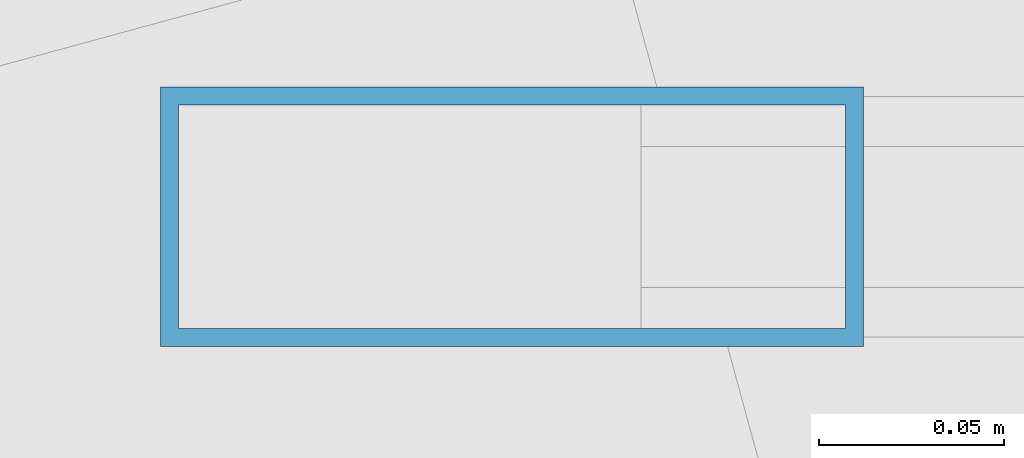
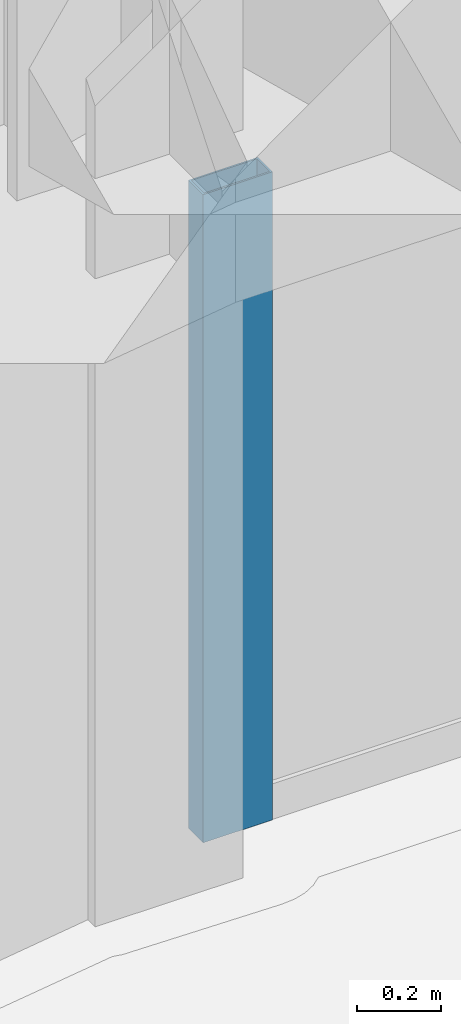
# One storey, part 8 of 16: 1 member, 1 element without a shape of its own.
"""IFC4 building model written with IfcOpenShell, lengths in metres."""

from ifc_helpers import new_model, si_unit, derived_unit, direction, frame, origin, origin_2d, place, context, subcontext, project, spatial, hollow_rectangle, extrude, source, transform, mapped, material, layer, layer_set, material_profile, profile_set, type_object, element, aggregate, save


model = new_model("IFC4")

# Units and contexts
model_context = context("Model", 3, precision=1e-05, world=origin(), true_north=direction((0.0, 1.0)))
body_context = subcontext(model_context, "Body", "Model", "MODEL_VIEW")
ifc_project = project(units=[si_unit("LENGTHUNIT", "METRE"), si_unit("AREAUNIT", "SQUARE_METRE"), si_unit("VOLUMEUNIT", "CUBIC_METRE"), si_unit("PLANEANGLEUNIT", "RADIAN"), si_unit("MASSUNIT", "GRAM", prefix="KILO"), derived_unit("THERMALTRANSMITTANCEUNIT", [(si_unit("POWERUNIT", "WATT"), 1), (si_unit("LENGTHUNIT", "METRE"), -2), (si_unit("THERMODYNAMICTEMPERATUREUNIT", "KELVIN"), -1)])], contexts=[model_context])

# Site, building, storey
site_placement = place(None, origin())
site = spatial("IfcSite", under=ifc_project, at=site_placement, CompositionType="ELEMENT")
building_placement = place(site_placement, origin())
building = spatial("IfcBuilding", under=site, at=building_placement, Name="Korsvarv Bourse and Concert Hall", CompositionType="ELEMENT")
storey_placement = place(building_placement, frame((0.0, 0.0, 213.0)))
storey = spatial("IfcBuildingStorey", under=building, at=storey_placement, Name="L55", CompositionType="ELEMENT", Elevation=213.0)

# Curtain wall, member
ifc_material_1 = material(Name="Anodised aluminium and triple low-E glazing", Category="glass")
ifc_layer = layer(ifc_material_1, 0.199951171875)
ifc_layer_set = layer_set([ifc_layer], Name="Anodised aluminium and triple low-E glazing")
curtain_wall_type = type_object("IfcCurtainWallType", Name="CW-SYS-3", PredefinedType="NOTDEFINED", material=ifc_layer_set)
curtain_wall_placement = place(storey_placement, origin())
curtain_wall = element("IfcCurtainWall", 1, at=curtain_wall_placement, inside=storey, type_object=curtain_wall_type, Name="L55 CW3 curtain wall CW-L55-F03", PredefinedType="NOTDEFINED")
ifc_material_2 = material(Name="Extruded aluminium EN AW-6063 T66", Category="aluminium")
ifc_material_profile = material_profile(ifc_material_2, hollow_rectangle(XDim=0.070068359375, YDim=0.18994140625, WallThickness=0.0048828125, at=origin_2d()), Name="ALU-M 70x190")
ifc_profile_set = profile_set([ifc_material_profile], Name="Extruded aluminium EN AW-6063 T66")
member_type = type_object("IfcMemberType", Name="CWM-190", PredefinedType="MULLION", material=ifc_profile_set)
shared_shape = source(origin(), body_context, "Body", "SweptSolid", [
    extrude(hollow_rectangle(XDim=0.070068359375, YDim=0.18994140625, WallThickness=0.0048828125, at=origin_2d()), origin(), (0.0, 0.0, 1.0), 1.8798828125),
])
member_placement = place(storey_placement, frame((34.311279296875, 51.66162109375, 0.0), z_axis=(0.0, 0.0, 1.0), x_axis=(0.0, -1.0, 0.0)))
member = element("IfcMember", 2, at=member_placement, type_object=member_type, Name="CW3 mullion 10", PredefinedType="MULLION", context=body_context, shape_type="MappedRepresentation", body=[
    mapped(shared_shape, transform((0.0, 0.0, 0.0), scale=1.0)),
])
aggregate(curtain_wall, [member])

save(model, "model.ifc")
